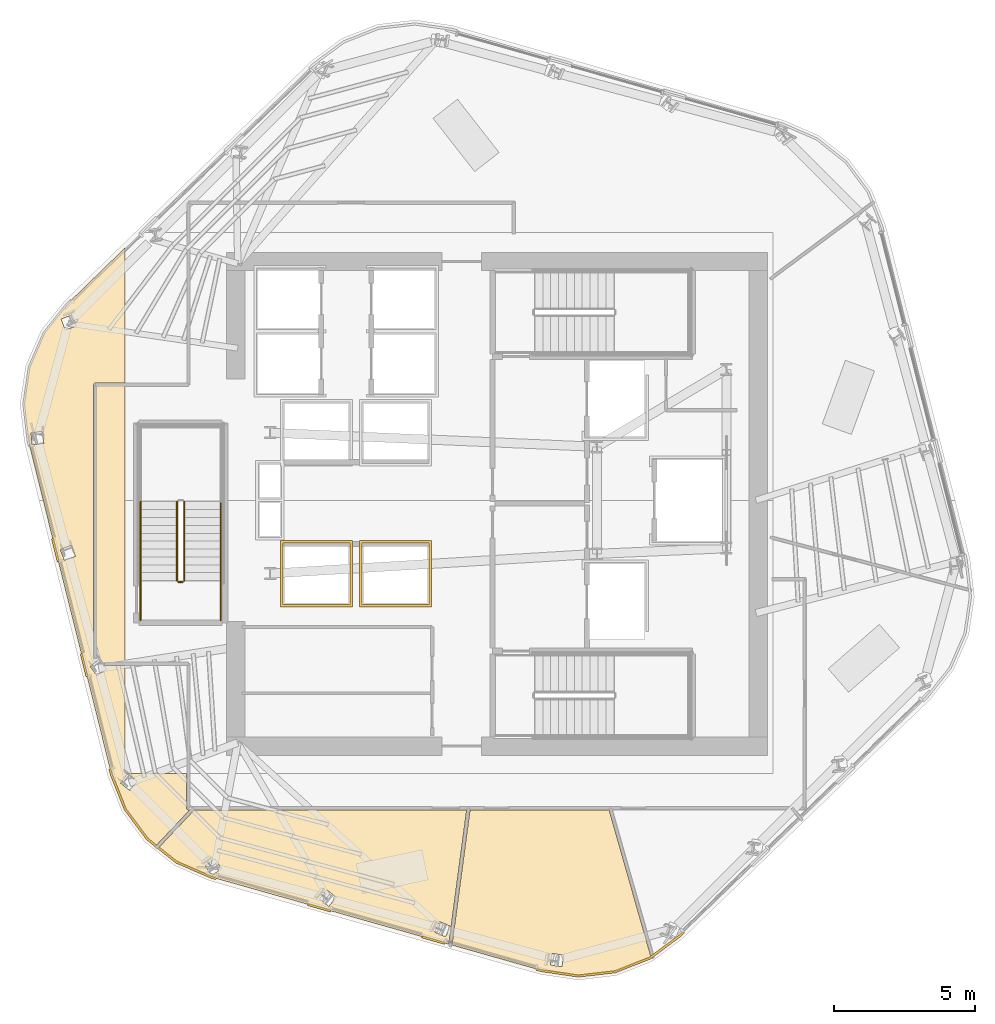
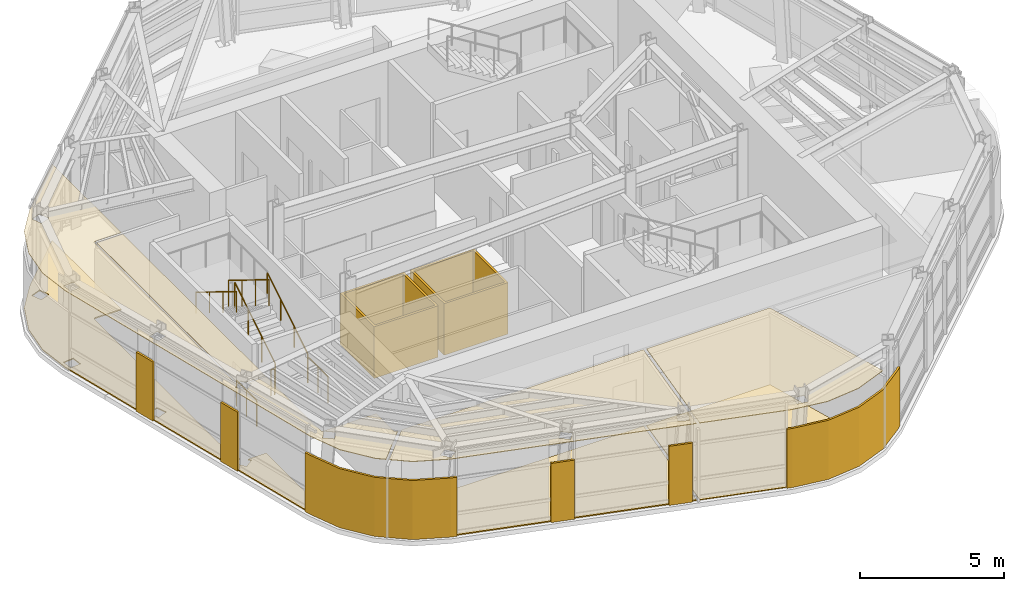
# One storey, part 10 of 14: 15 coverings, 7 railings.
"""IFC4 building model written with IfcOpenShell, lengths in metres."""

from ifc_helpers import new_model, si_unit, direction, frame, origin, origin_2d, place, context, subcontext, project, spatial, polyline, circle, outline, extrude, material, layer, layer_set, type_object, element, save


model = new_model("IFC4")

# Units and contexts
model_context = context("Model", 3, precision=1e-05, world=origin(), true_north=direction((0.0, 1.0)))
body_context = subcontext(model_context, "Body", "Model", "MODEL_VIEW")
ifc_project = project(units=[si_unit("LENGTHUNIT", "METRE"), si_unit("AREAUNIT", "SQUARE_METRE"), si_unit("VOLUMEUNIT", "CUBIC_METRE"), si_unit("PLANEANGLEUNIT", "RADIAN"), si_unit("MASSUNIT", "GRAM", prefix="KILO")], contexts=[model_context])

# Site, building, storey
site_placement = place(None, origin())
site = spatial("IfcSite", under=ifc_project, at=site_placement, CompositionType="ELEMENT")
building_placement = place(site_placement, origin())
building = spatial("IfcBuilding", under=site, at=building_placement, Name="Valkerne Bourse Tower", CompositionType="ELEMENT")
storey_placement = place(building_placement, frame((0.0, 0.0, 213.199951171875)))
storey = spatial("IfcBuildingStorey", under=building, at=storey_placement, Name="L54", CompositionType="ELEMENT", Elevation=213.199951171875)

# Coverings
ifc_material_1 = material(Name="Mineral Fiber Acoustic Ceiling Tile", Category="acoustic")
ifc_layer_1 = layer(ifc_material_1, 0.02490234375)
ifc_layer_set_1 = layer_set([ifc_layer_1], Name="Mineral Fiber Acoustic Ceiling Tile")
covering_type_1 = type_object("IfcCoveringType", Name="COV-CEIL-ACT", PredefinedType="CEILING", material=ifc_layer_set_1)
covering_1_placement = place(storey_placement, frame((0.0, 0.0, 3.25)))
element("IfcCovering", 1, at=covering_1_placement, inside=storey, type_object=covering_type_1, Name="L54 Suspended Ceiling 05", PredefinedType="CEILING", context=body_context, shape_type="SweptSolid", body=[
    extrude(outline(polyline([(49.691650390625, 10.11767578125), (48.376708984375, 10.31201171875), (45.205810546875, 11.20947265625), (45.846435546875, 16.010986328125), (50.7822265625, 16.010986328125), (52.270751953125, 10.785888671875), (52.2294921875, 10.755126953125), (51.00244140625, 10.269287109375), (49.691650390625, 10.11767578125)]), holes=[polyline([(49.169921875, 10.851318359375), (48.761474609375, 10.914794921875), (48.759033203125, 10.91455078125), (48.6962890625, 10.507568359375), (49.10498046875, 10.444091796875), (49.107421875, 10.4443359375), (49.169921875, 10.851318359375)])]), origin(), (0.0, 0.0, 1.0), 0.025146484375),
])
covering_2_placement = place(storey_placement, frame((0.0, 0.0, 3.25)))
element("IfcCovering", 2, at=covering_2_placement, inside=storey, type_object=covering_type_1, Name="L54 Suspended Ceiling 06", PredefinedType="CEILING", context=body_context, shape_type="SweptSolid", body=[
    extrude(outline(polyline([(34.7900390625, 14.666259765625), (36.060546875, 16.010986328125), (45.7275390625, 16.010986328125), (45.091064453125, 11.241943359375), (36.649169921875, 13.631591796875), (35.429443359375, 14.159423828125), (34.7900390625, 14.666259765625)]), holes=[polyline([(44.760498046875, 12.0498046875), (44.75830078125, 12.050048828125), (44.594482421875, 11.672119140625), (44.973876953125, 11.50732421875), (44.97607421875, 11.507080078125), (45.139892578125, 11.885009765625), (44.760498046875, 12.0498046875)]), polyline([(40.772216796875, 13.16748046875), (40.77001953125, 13.16845703125), (40.509765625, 12.849365234375), (40.830078125, 12.58740234375), (40.83203125, 12.586669921875), (41.09228515625, 12.90576171875), (40.772216796875, 13.16748046875)]), polyline([(36.78076171875, 14.264404296875), (36.77880859375, 14.265869140625), (36.4462890625, 14.023193359375), (36.689697265625, 13.688720703125), (36.69140625, 13.6875), (37.024169921875, 13.93017578125), (36.78076171875, 14.264404296875)])]), origin(), (0.0, 0.0, 1.0), 0.025146484375),
])
covering_3_placement = place(storey_placement, frame((0.0, 0.0, 3.25)))
element("IfcCovering", 3, at=covering_3_placement, inside=storey, type_object=covering_type_1, Name="L54 Suspended Ceiling 09", PredefinedType="CEILING", context=body_context, shape_type="SweptSolid", body=[
    extrude(outline(polyline([(33.119384765625, 17.27392578125), (30.169677734375, 29.10009765625), (30.016845703125, 30.42041015625), (30.209716796875, 31.725830078125), (30.733642578125, 32.93701171875), (31.559326171875, 33.978515625), (33.60009765625, 35.962646484375), (33.60009765625, 31.1689453125), (32.54931640625, 31.1689453125), (32.50390625, 31.151611328125), (32.481689453125, 31.110107421875), (32.484619140625, 21.34326171875), (32.5078125, 21.310546875), (32.5498046875, 21.29638671875), (32.65234375, 21.32080078125), (32.36181640625, 21.10595703125), (32.36279296875, 21.10400390625), (32.607666015625, 20.773681640625), (32.940673828125, 21.020263671875), (32.93994140625, 21.022216796875), (32.859130859375, 21.131103515625), (33.60009765625, 21.131103515625), (33.60009765625, 17.300048828125), (35.781005859375, 17.300048828125), (35.781005859375, 16.079345703125), (35.791015625, 16.0439453125), (35.820068359375, 16.017578125), (35.89892578125, 16.01171875), (34.697265625, 14.73974609375), (34.3955078125, 14.97900390625), (33.608642578125, 16.038330078125), (33.119384765625, 17.27392578125)]), holes=[polyline([(34.02197265625, 17.0263671875), (33.701416015625, 17.283447265625), (33.44189453125, 16.96044921875), (33.443115234375, 16.95849609375), (33.763916015625, 16.701416015625), (34.0234375, 17.0244140625), (34.02197265625, 17.0263671875)]), polyline([(31.8369140625, 25.016357421875), (31.69091796875, 25.400634765625), (31.30322265625, 25.25390625), (31.3037109375, 25.251708984375), (31.44970703125, 24.8671875), (31.837158203125, 25.01416015625), (31.8369140625, 25.016357421875)]), polyline([(30.717041015625, 29.0234375), (30.67333984375, 29.43212890625), (30.26123046875, 29.388427734375), (30.260986328125, 29.385986328125), (30.3046875, 28.9775390625), (30.716796875, 29.02099609375), (30.717041015625, 29.0234375)]), polyline([(31.866943359375, 33.1953125), (31.716552734375, 33.5810546875), (31.3330078125, 33.4326171875), (31.33203125, 33.430419921875), (31.482421875, 33.044677734375), (31.865966796875, 33.193115234375), (31.866943359375, 33.1953125)])]), origin(), (0.0, 0.0, 1.0), 0.025146484375),
])
ifc_material_2 = material(Name="Bronze Anodised Aluminium AA 6063-T6", Category="aluminium")
ifc_layer_2 = layer(ifc_material_2, 0.030029296875)
ifc_layer_set_2 = layer_set([ifc_layer_2], Name="Bronze Anodised Aluminium AA 6063-T6")
covering_type_2 = type_object("IfcCoveringType", Name="COV-CEIL-METAL", PredefinedType="CEILING", material=ifc_layer_set_2)
covering_4_placement = place(storey_placement, frame((0.0, 0.0, 3.25)))
element("IfcCovering", 4, at=covering_4_placement, inside=storey, type_object=covering_type_2, Name="L54 Suspended Ceiling 02", PredefinedType="CEILING", context=body_context, shape_type="SweptSolid", body=[
    extrude(outline(polyline([(32.80517578125, 21.2041015625), (32.695068359375, 21.3525390625), (32.553955078125, 21.248291015625), (32.553955078125, 31.095947265625), (33.60009765625, 31.095947265625), (33.60009765625, 21.2041015625), (32.80517578125, 21.2041015625)])), origin(), (0.0, 0.0, 1.0), 0.025146484375),
])
ifc_layer_3 = layer(ifc_material_2, 0.06005859375)
ifc_layer_set_3 = layer_set([ifc_layer_3], Name="Bronze Anodised Aluminium AA 6063-T6")
covering_type_3 = type_object("IfcCoveringType", Name="COV-CRN-ALUM", PredefinedType="CLADDING", material=ifc_layer_set_3)
covering_5_placement = place(storey_placement, origin())
element("IfcCovering", 5, at=covering_5_placement, inside=storey, type_object=covering_type_3, Name="L54 Wind-Shaped Corner Aluminium Cladding 04", PredefinedType="CLADDING", context=body_context, shape_type="SweptSolid", body=[
    extrude(outline(polyline([(53.324951171875, 11.513916015625), (52.2509765625, 10.71630859375), (51.01318359375, 10.226318359375), (49.69091796875, 10.073486328125), (48.367431640625, 10.268798828125), (48.181396484375, 10.3212890625), (48.203369140625, 10.398193359375), (48.38427734375, 10.34716796875), (49.692138671875, 10.154052734375), (50.99365234375, 10.3046875), (52.211669921875, 10.786865234375), (53.273193359375, 11.5751953125), (53.408203125, 11.70556640625), (53.4638671875, 11.648193359375), (53.324951171875, 11.513916015625)])), origin(), (0.0, 0.0, 1.0), 2.5),
])
covering_6_placement = place(storey_placement, origin())
element("IfcCovering", 6, at=covering_6_placement, inside=storey, type_object=covering_type_3, Name="L54 Wind-Shaped Corner Aluminium Cladding 05", PredefinedType="CLADDING", context=body_context, shape_type="SweptSolid", body=[
    extrude(outline(polyline([(44.12890625, 11.468505859375), (44.150634765625, 11.545654296875), (44.958984375, 11.316650390625), (44.93701171875, 11.23974609375), (44.12890625, 11.468505859375)])), origin(), (0.0, 0.0, 1.0), 2.5),
])
covering_7_placement = place(storey_placement, origin())
element("IfcCovering", 7, at=covering_7_placement, inside=storey, type_object=covering_type_3, Name="L54 Wind-Shaped Corner Aluminium Cladding 06", PredefinedType="CLADDING", context=body_context, shape_type="SweptSolid", body=[
    extrude(outline(polyline([(40.075927734375, 12.615966796875), (40.097900390625, 12.69287109375), (40.90625, 12.464111328125), (40.88427734375, 12.386962890625), (40.075927734375, 12.615966796875)])), origin(), (0.0, 0.0, 1.0), 2.5),
])
covering_8_placement = place(storey_placement, origin())
element("IfcCovering", 8, at=covering_8_placement, inside=storey, type_object=covering_type_3, Name="L54 Wind-Shaped Corner Aluminium Cladding 07", PredefinedType="CLADDING", context=body_context, shape_type="SweptSolid", body=[
    extrude(outline(polyline([(36.63427734375, 13.590087890625), (35.40673828125, 14.121337890625), (34.363525390625, 14.9482421875), (33.56982421875, 16.016845703125), (33.077392578125, 17.260498046875), (33.02783203125, 17.45947265625), (33.10546875, 17.47900390625), (33.15380859375, 17.28515625), (33.640380859375, 16.05615234375), (34.42138671875, 15.00439453125), (35.447998046875, 14.190673828125), (36.6611328125, 13.66552734375), (36.853515625, 13.611083984375), (36.83154296875, 13.5341796875), (36.63427734375, 13.590087890625)])), origin(), (0.0, 0.0, 1.0), 2.5),
])
covering_9_placement = place(storey_placement, origin())
element("IfcCovering", 9, at=covering_9_placement, inside=storey, type_object=covering_type_3, Name="L54 Wind-Shaped Corner Aluminium Cladding 08", PredefinedType="CLADDING", context=body_context, shape_type="SweptSolid", body=[
    extrude(outline(polyline([(32.008544921875, 21.546142578125), (32.0859375, 21.565673828125), (32.289306640625, 20.750732421875), (32.2119140625, 20.731201171875), (32.008544921875, 21.546142578125)])), origin(), (0.0, 0.0, 1.0), 2.5),
])
covering_10_placement = place(storey_placement, origin())
element("IfcCovering", 10, at=covering_10_placement, inside=storey, type_object=covering_type_3, Name="L54 Wind-Shaped Corner Aluminium Cladding 09", PredefinedType="CLADDING", context=body_context, shape_type="SweptSolid", body=[
    extrude(outline(polyline([(30.989013671875, 25.633056640625), (31.066650390625, 25.652587890625), (31.27001953125, 24.83740234375), (31.1923828125, 24.818115234375), (30.989013671875, 25.633056640625)])), origin(), (0.0, 0.0, 1.0), 2.5),
])
ifc_material_3 = material(Name="Galvanised Painted Steel", Category="steel")
ifc_layer_4 = layer(ifc_material_3, 0.044921875)
ifc_layer_set_4 = layer_set([ifc_layer_4], Name="Galvanised Painted Steel")
covering_type_4 = type_object("IfcCoveringType", Name="COV-FLR-RAF", PredefinedType="FLOORING", material=ifc_layer_set_4)
covering_11_placement = place(storey_placement, origin())
element("IfcCovering", 11, at=covering_11_placement, inside=storey, type_object=covering_type_4, Name="L54 Floor Finish 06", PredefinedType="FLOORING", context=body_context, shape_type="SweptSolid", body=[
    extrude(outline(polyline([(34.7900390625, 14.666259765625), (36.060546875, 16.010986328125), (45.7275390625, 16.010986328125), (45.091064453125, 11.241943359375), (36.649169921875, 13.631591796875), (35.429443359375, 14.159423828125), (34.7900390625, 14.666259765625)]), holes=[polyline([(44.760498046875, 12.0498046875), (44.75830078125, 12.050048828125), (44.594482421875, 11.672119140625), (44.973876953125, 11.50732421875), (44.97607421875, 11.507080078125), (45.139892578125, 11.885009765625), (44.760498046875, 12.0498046875)]), polyline([(40.772216796875, 13.16748046875), (40.77001953125, 13.16845703125), (40.509765625, 12.849365234375), (40.830078125, 12.58740234375), (40.83203125, 12.586669921875), (41.09228515625, 12.90576171875), (40.772216796875, 13.16748046875)]), polyline([(36.78076171875, 14.264404296875), (36.77880859375, 14.265869140625), (36.4462890625, 14.023193359375), (36.689697265625, 13.688720703125), (36.69140625, 13.6875), (37.024169921875, 13.93017578125), (36.78076171875, 14.264404296875)])]), origin(), (0.0, 0.0, 1.0), 0.045166015625),
])
covering_12_placement = place(storey_placement, origin())
element("IfcCovering", 12, at=covering_12_placement, inside=storey, type_object=covering_type_4, Name="L54 Floor Finish 09", PredefinedType="FLOORING", context=body_context, shape_type="SweptSolid", body=[
    extrude(outline(polyline([(33.119384765625, 17.27392578125), (30.169677734375, 29.10009765625), (30.016845703125, 30.42041015625), (30.209716796875, 31.725830078125), (30.733642578125, 32.93701171875), (31.559326171875, 33.978515625), (33.60009765625, 35.962646484375), (33.60009765625, 31.1689453125), (32.54931640625, 31.1689453125), (32.50390625, 31.151611328125), (32.481689453125, 31.110107421875), (32.484619140625, 21.34326171875), (32.5078125, 21.310546875), (32.5498046875, 21.29638671875), (32.65234375, 21.32080078125), (32.36181640625, 21.10595703125), (32.36279296875, 21.10400390625), (32.607666015625, 20.773681640625), (32.940673828125, 21.020263671875), (32.93994140625, 21.022216796875), (32.859130859375, 21.131103515625), (33.60009765625, 21.131103515625), (33.60009765625, 17.300048828125), (35.781005859375, 17.300048828125), (35.781005859375, 16.079345703125), (35.791015625, 16.0439453125), (35.820068359375, 16.017578125), (35.89892578125, 16.01171875), (34.697265625, 14.73974609375), (34.3955078125, 14.97900390625), (33.608642578125, 16.038330078125), (33.119384765625, 17.27392578125)]), holes=[polyline([(34.02197265625, 17.0263671875), (33.701416015625, 17.283447265625), (33.44189453125, 16.96044921875), (33.443115234375, 16.95849609375), (33.763916015625, 16.701416015625), (34.0234375, 17.0244140625), (34.02197265625, 17.0263671875)]), polyline([(31.8369140625, 25.016357421875), (31.69091796875, 25.400634765625), (31.30322265625, 25.25390625), (31.3037109375, 25.251708984375), (31.44970703125, 24.8671875), (31.837158203125, 25.01416015625), (31.8369140625, 25.016357421875)]), polyline([(30.717041015625, 29.0234375), (30.67333984375, 29.43212890625), (30.26123046875, 29.388427734375), (30.260986328125, 29.385986328125), (30.3046875, 28.9775390625), (30.716796875, 29.02099609375), (30.717041015625, 29.0234375)]), polyline([(31.866943359375, 33.1953125), (31.716552734375, 33.5810546875), (31.3330078125, 33.4326171875), (31.33203125, 33.430419921875), (31.482421875, 33.044677734375), (31.865966796875, 33.193115234375), (31.866943359375, 33.1953125)])]), origin(), (0.0, 0.0, 1.0), 0.045166015625),
])
ifc_material_4 = material(Name="Polished Granite Stone", Category="masonry")
ifc_layer_5 = layer(ifc_material_4, 0.030029296875)
ifc_layer_set_5 = layer_set([ifc_layer_5], Name="Polished Granite Stone")
covering_type_5 = type_object("IfcCoveringType", Name="COV-FLR-TERRAZZO", PredefinedType="FLOORING", material=ifc_layer_set_5)
covering_13_placement = place(storey_placement, origin())
element("IfcCovering", 13, at=covering_13_placement, inside=storey, type_object=covering_type_5, Name="L54 Floor Finish 05", PredefinedType="FLOORING", context=body_context, shape_type="SweptSolid", body=[
    extrude(outline(polyline([(49.691650390625, 10.11767578125), (48.376708984375, 10.31201171875), (45.205810546875, 11.20947265625), (45.846435546875, 16.010986328125), (50.7822265625, 16.010986328125), (52.270751953125, 10.785888671875), (52.2294921875, 10.755126953125), (51.00244140625, 10.269287109375), (49.691650390625, 10.11767578125)]), holes=[polyline([(49.169921875, 10.851318359375), (48.761474609375, 10.914794921875), (48.759033203125, 10.91455078125), (48.6962890625, 10.507568359375), (49.10498046875, 10.444091796875), (49.107421875, 10.4443359375), (49.169921875, 10.851318359375)])]), origin(), (0.0, 0.0, 1.0), 0.030029296875),
])
ifc_material_5 = material(Name="Gypsum Shaftwall Liner Board", Category="gypsum")
ifc_layer_6 = layer(ifc_material_5, 0.080078125)
ifc_layer_set_6 = layer_set([ifc_layer_6], Name="Gypsum Shaftwall Liner Board")
covering_type_6 = type_object("IfcCoveringType", Name="COV-SHF-CLAD", PredefinedType="CLADDING", material=ifc_layer_set_6)
covering_14_placement = place(storey_placement, origin())
element("IfcCovering", 14, at=covering_14_placement, inside=storey, type_object=covering_type_6, Name="L54 Hoistway & Riser Shaftwall Liner 01", PredefinedType="CLADDING", context=body_context, shape_type="SweptSolid", body=[
    extrude(outline(polyline([(41.679931640625, 25.580078125), (41.679931640625, 23.219970703125), (39.1201171875, 23.219970703125), (39.1201171875, 25.580078125), (41.679931640625, 25.580078125)]), holes=[polyline([(41.590087890625, 25.489990234375), (39.2099609375, 25.489990234375), (39.2099609375, 23.31005859375), (41.590087890625, 23.31005859375), (41.590087890625, 25.489990234375)])]), origin(), (0.0, 0.0, 1.0), 2.179931640625),
])
covering_15_placement = place(storey_placement, origin())
element("IfcCovering", 15, at=covering_15_placement, inside=storey, type_object=covering_type_6, Name="L54 Hoistway & Riser Shaftwall Liner 02", PredefinedType="CLADDING", context=body_context, shape_type="SweptSolid", body=[
    extrude(outline(polyline([(44.47998046875, 23.219970703125), (41.919921875, 23.219970703125), (41.919921875, 25.580078125), (44.47998046875, 25.580078125), (44.47998046875, 23.219970703125)]), holes=[polyline([(42.010009765625, 25.489990234375), (42.010009765625, 23.31005859375), (44.389892578125, 23.31005859375), (44.389892578125, 25.489990234375), (42.010009765625, 25.489990234375)])]), origin(), (0.0, 0.0, 1.0), 2.179931640625),
])

# Railings
railing_type_1 = type_object("IfcRailingType", Name="RLG-ST-GUARD-1120", PredefinedType="GUARDRAIL", material=ifc_material_3)
railing_1_placement = place(storey_placement, frame((35.699951171875, 24.14990234375, 0.1728515625)))
element("IfcRailing", 16, at=railing_1_placement, inside=storey, type_object=railing_type_1, Name="L54 ST-3 stair guard 1", PredefinedType="GUARDRAIL", context=body_context, shape_type="SweptSolid", body=[
    extrude(circle(Radius=0.02392578125, at=origin_2d()), frame((0.0, 0.0, 1.09619140625), z_axis=(0.0, 0.851089632645, 0.525020415988), x_axis=(-1.0, 0.0, 0.0)), (0.0, 0.0, 1.0), 3.2900390625),
    extrude(circle(Radius=0.02099609375, at=origin_2d()), origin(), (0.0, 0.0, 1.0), 1.072021484375),
    extrude(circle(Radius=0.02099609375, at=origin_2d()), frame((0.0, 0.933349609375, 0.57568359375)), (0.0, 0.0, 1.0), 1.072021484375),
    extrude(circle(Radius=0.02099609375, at=origin_2d()), frame((0.0, 1.86669921875, 1.151611328125)), (0.0, 0.0, 1.0), 1.072021484375),
    extrude(circle(Radius=0.02099609375, at=origin_2d()), frame((0.0, 2.800048828125, 1.727294921875)), (0.0, 0.0, 1.0), 1.072021484375),
])
railing_2_placement = place(storey_placement, frame((35.449951171875, 26.949951171875, 2.07275390625)))
element("IfcRailing", 17, at=railing_2_placement, inside=storey, type_object=railing_type_1, Name="L54 ST-3 stair guard 6", PredefinedType="GUARDRAIL", context=body_context, shape_type="SweptSolid", body=[
    extrude(circle(Radius=0.02392578125, at=origin_2d()), frame((0.0, 0.0, 1.09619140625), z_axis=(0.0, -0.851089632645, 0.525020415988), x_axis=(1.0, 0.0, 0.0)), (0.0, 0.0, 1.0), 3.2900390625),
    extrude(circle(Radius=0.02099609375, at=origin_2d()), origin(), (0.0, 0.0, 1.0), 1.072021484375),
    extrude(circle(Radius=0.02099609375, at=origin_2d()), frame((0.0, -0.933349609375, 0.57568359375)), (0.0, 0.0, 1.0), 1.072021484375),
    extrude(circle(Radius=0.02099609375, at=origin_2d()), frame((0.0, -1.86669921875, 1.151611328125)), (0.0, 0.0, 1.0), 1.072021484375),
    extrude(circle(Radius=0.02099609375, at=origin_2d()), frame((0.0, -2.800048828125, 1.727294921875)), (0.0, 0.0, 1.0), 1.072021484375),
])
railing_3_placement = place(storey_placement, frame((35.64990234375, 24.10009765625, 0.0)))
element("IfcRailing", 18, at=railing_3_placement, inside=storey, type_object=railing_type_1, Name="L54 ST-3 stair guard 7", PredefinedType="GUARDRAIL", context=body_context, shape_type="SweptSolid", body=[
    extrude(circle(Radius=0.02392578125, at=origin_2d()), frame((0.0, 0.0, 1.09619140625), z_axis=(-1.0, 0.0, 0.0), x_axis=(0.0, -1.0, 0.0)), (0.0, 0.0, 1.0), 0.14990234375),
    extrude(circle(Radius=0.02099609375, at=origin_2d()), origin(), (0.0, 0.0, 1.0), 1.072021484375),
    extrude(circle(Radius=0.02099609375, at=origin_2d()), frame((-0.14990234375, 0.0, 0.0)), (0.0, 0.0, 1.0), 1.072021484375),
])
for number, where, name in (
    (19, (37.0, 22.75, 0.0), "L54 ST-3 stair guard 8"),
    (20, (34.14990234375, 22.75, 0.0), "L54 ST-3 stair guard 9"),
):
    element("IfcRailing", number, at=place(storey_placement, frame(where)), inside=storey, type_object=railing_type_1, Name=name, PredefinedType="GUARDRAIL", context=body_context, shape_type="SweptSolid", body=[
        extrude(circle(Radius=0.02392578125, at=origin_2d()), frame((0.0, 0.0, 1.09619140625), z_axis=(0.0, 1.0, 0.0), x_axis=(-1.0, 0.0, 0.0)), (0.0, 0.0, 1.0), 1.39990234375),
        extrude(circle(Radius=0.02099609375, at=origin_2d()), origin(), (0.0, 0.0, 1.0), 1.072021484375),
        extrude(circle(Radius=0.02099609375, at=origin_2d()), frame((0.0, 0.699951171875, 0.0)), (0.0, 0.0, 1.0), 1.072021484375),
        extrude(circle(Radius=0.02099609375, at=origin_2d()), frame((0.0, 1.39990234375, 0.0)), (0.0, 0.0, 1.0), 1.072021484375),
    ])
ifc_material_6 = material(Name="Stainless Steel AISI 316", Category="steel")
railing_type_2 = type_object("IfcRailingType", Name="RLG-ST-HANDRAIL-900", PredefinedType="HANDRAIL", material=ifc_material_6)
railing_4_placement = place(storey_placement, frame((37.0, 24.14990234375, 0.345458984375)))
element("IfcRailing", 21, at=railing_4_placement, inside=storey, type_object=railing_type_2, Name="L54 ST-3 stair handrail 1", PredefinedType="HANDRAIL", context=body_context, shape_type="SweptSolid", body=[
    extrude(circle(Radius=0.02392578125, at=origin_2d()), frame((0.0, 0.0, 0.8759765625), z_axis=(0.0, 0.851089632645, 0.525020415988), x_axis=(-1.0, 0.0, 0.0)), (0.0, 0.0, 1.0), 3.2900390625),
    extrude(circle(Radius=0.02099609375, at=origin_2d()), origin(), (0.0, 0.0, 1.0), 0.851806640625),
    extrude(circle(Radius=0.02099609375, at=origin_2d()), frame((0.0, 0.933349609375, 0.57568359375)), (0.0, 0.0, 1.0), 0.851806640625),
    extrude(circle(Radius=0.02099609375, at=origin_2d()), frame((0.0, 1.86669921875, 1.151611328125)), (0.0, 0.0, 1.0), 0.851806640625),
    extrude(circle(Radius=0.02099609375, at=origin_2d()), frame((0.0, 2.800048828125, 1.727294921875)), (0.0, 0.0, 1.0), 0.851806640625),
])
railing_5_placement = place(storey_placement, frame((34.14990234375, 26.949951171875, 2.24560546875)))
element("IfcRailing", 22, at=railing_5_placement, inside=storey, type_object=railing_type_2, Name="L54 ST-3 stair handrail 2", PredefinedType="HANDRAIL", context=body_context, shape_type="SweptSolid", body=[
    extrude(circle(Radius=0.02392578125, at=origin_2d()), frame((0.0, 0.0, 0.8759765625), z_axis=(0.0, -0.851122791225, 0.524966660138), x_axis=(1.0, 0.0, 0.0)), (0.0, 0.0, 1.0), 3.289794921875),
    extrude(circle(Radius=0.02099609375, at=origin_2d()), origin(), (0.0, 0.0, 1.0), 0.851806640625),
    extrude(circle(Radius=0.02099609375, at=origin_2d()), frame((0.0, -0.933349609375, 0.57568359375)), (0.0, 0.0, 1.0), 0.851806640625),
    extrude(circle(Radius=0.02099609375, at=origin_2d()), frame((0.0, -1.86669921875, 1.1513671875)), (0.0, 0.0, 1.0), 0.851806640625),
    extrude(circle(Radius=0.02099609375, at=origin_2d()), frame((0.0, -2.800048828125, 1.72705078125)), (0.0, 0.0, 1.0), 0.851806640625),
])

save(model, "model.ifc")
